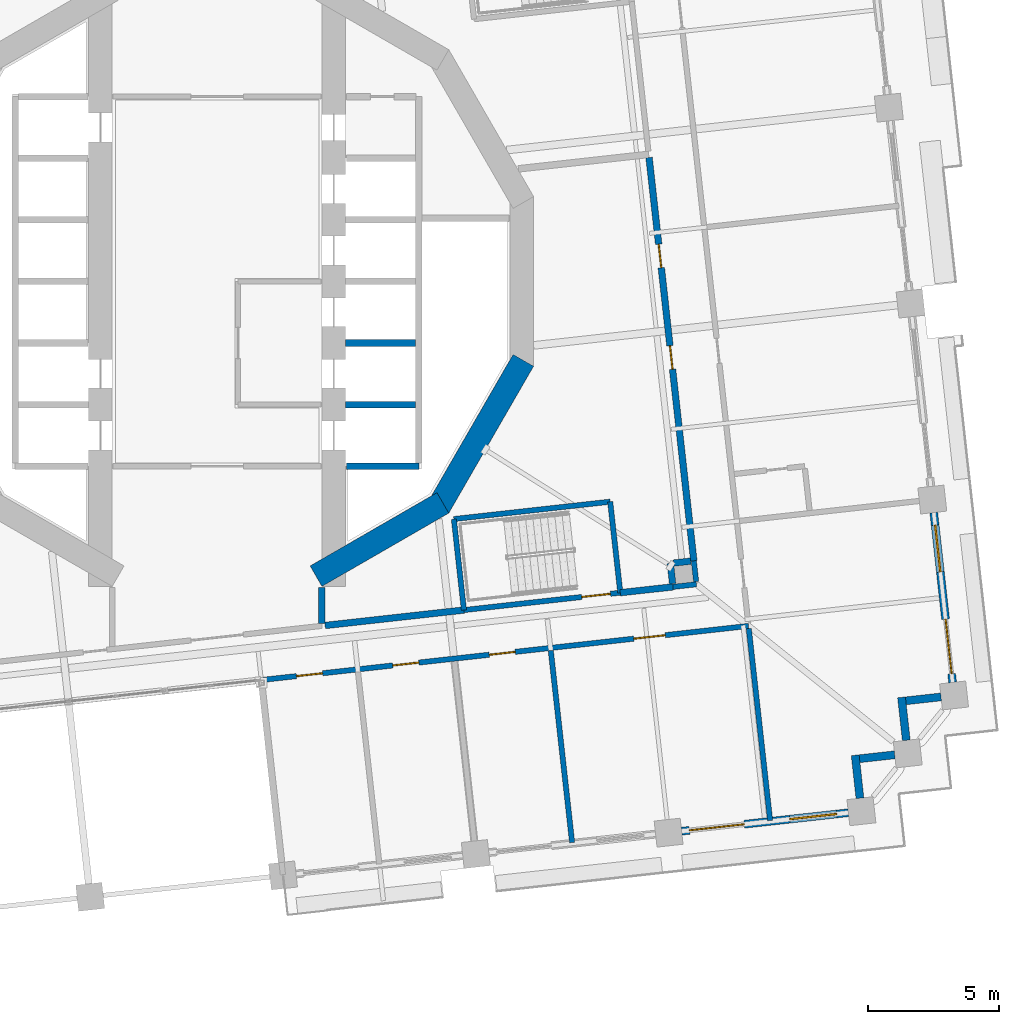
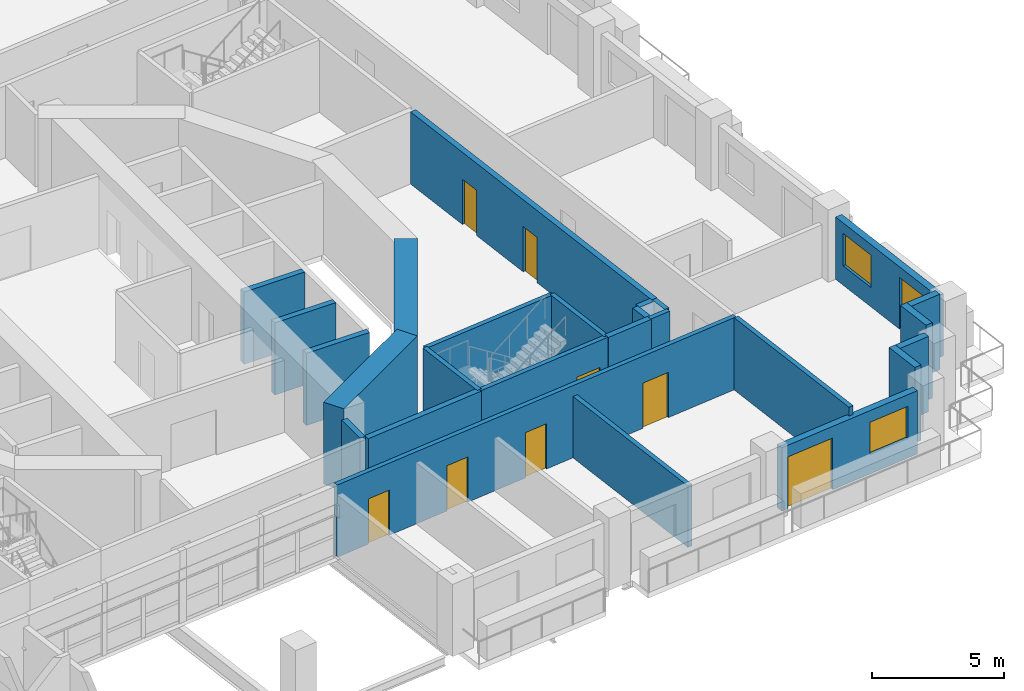
# One storey, part 9 of 21: 26 walls, 9 doors, 2 windows, 11 openings.
"""IFC4 building model written with IfcOpenShell, lengths in metres."""

from ifc_helpers import new_model, si_unit, direction, frame, frame_2d, origin, place, context, subcontext, project, spatial, rectangle, extrude, material, layer, layer_set, type_object, element, fill, save


model = new_model("IFC4")

# Units and contexts
model_context = context("Model", 3, precision=1e-05, world=origin(), true_north=direction((0.0, 1.0)))
body_context = subcontext(model_context, "Body", "Model", "MODEL_VIEW")
ifc_project = project(units=[si_unit("LENGTHUNIT", "METRE"), si_unit("AREAUNIT", "SQUARE_METRE"), si_unit("VOLUMEUNIT", "CUBIC_METRE"), si_unit("PLANEANGLEUNIT", "RADIAN"), si_unit("MASSUNIT", "GRAM", prefix="KILO")], contexts=[model_context])

# Site, building, storey
site_placement = place(None, origin())
site = spatial("IfcSite", under=ifc_project, at=site_placement, CompositionType="ELEMENT")
building_placement = place(site_placement, origin())
building = spatial("IfcBuilding", under=site, at=building_placement, Name="Cantera Rosa Tower", CompositionType="ELEMENT")
storey_placement = place(building_placement, frame((0.0, 0.0, 80.5)))
storey = spatial("IfcBuildingStorey", under=building, at=storey_placement, Name="L17", CompositionType="ELEMENT", Elevation=80.5)

# Wall, openings, doors
ifc_material_1 = material(Name="Gypsum board partition")
ifc_layer_1 = layer(ifc_material_1, 0.199951171875)
ifc_layer_set_1 = layer_set([ifc_layer_1], Name="CORRIDOR WALL 200 H3350")
wall_type_1 = type_object("IfcWallType", Name="CORRIDOR WALL 200 H3350", PredefinedType="PARTITIONING", material=ifc_layer_set_1)
wall_1_placement = place(storey_placement, frame((1.5634765625, -15.220458984375, 0.0), z_axis=(0.0, 0.0, 1.0), x_axis=(0.993896854699, 0.110313381866, 0.0)))
wall_1 = element("IfcWall", 1, at=wall_1_placement, inside=storey, type_object=wall_type_1, Name="CORRIDOR WALL L17-018", PredefinedType="PARTITIONING", context=body_context, shape_type="SweptSolid", body=[
    extrude(rectangle(XDim=18.8251953125, YDim=0.199951171875, at=frame_2d((9.41259765625, 0.0))), origin(), (0.0, 0.0, 1.0), 3.35009765625),
])
opening_1_placement = place(wall_1_placement, frame((1.47509765625, 0.0, 0.0)))
opening_1 = element("IfcOpeningElement", 2, at=opening_1_placement, cuts=wall_1, Name="Opening L17-037", PredefinedType="OPENING", context=body_context, shape_type="SweptSolid", body=[
    extrude(rectangle(XDim=1.0, YDim=2.10009765625, at=frame_2d((0.5, 1.050048828125))), frame((0.0, 0.10986328125, 0.0), z_axis=(0.0, -1.0, 0.0), x_axis=(1.0, 0.0, 0.0)), (0.0, 0.0, 1.0), 0.219970703125),
])
opening_2_placement = place(wall_1_placement, frame((5.175048828125, 0.0, 0.0)))
opening_2 = element("IfcOpeningElement", 3, at=opening_2_placement, cuts=wall_1, Name="Opening L17-038", PredefinedType="OPENING", context=body_context, shape_type="SweptSolid", body=[
    extrude(rectangle(XDim=1.0, YDim=2.10009765625, at=frame_2d((0.5, 1.050048828125))), frame((0.0, 0.10986328125, 0.0), z_axis=(0.0, -1.0, 0.0), x_axis=(1.0, 0.0, 0.0)), (0.0, 0.0, 1.0), 0.219970703125),
])
opening_3_placement = place(wall_1_placement, frame((8.875, 0.0, 0.0)))
opening_3 = element("IfcOpeningElement", 4, at=opening_3_placement, cuts=wall_1, Name="Opening L17-039", PredefinedType="OPENING", context=body_context, shape_type="SweptSolid", body=[
    extrude(rectangle(XDim=1.0, YDim=2.10009765625, at=frame_2d((0.5, 1.050048828125))), frame((0.0, 0.10986328125, 0.0), z_axis=(0.0, -1.0, 0.0), x_axis=(1.0, 0.0, 0.0)), (0.0, 0.0, 1.0), 0.219970703125),
])
opening_4_placement = place(wall_1_placement, frame((14.425048828125, 0.0, 0.0)))
opening_4 = element("IfcOpeningElement", 5, at=opening_4_placement, cuts=wall_1, Name="Opening L17-040", PredefinedType="OPENING", context=body_context, shape_type="SweptSolid", body=[
    extrude(rectangle(XDim=1.199951171875, YDim=2.10009765625, at=frame_2d((0.60009765625, 1.050048828125))), frame((0.0, 0.10986328125, 0.0), z_axis=(0.0, -1.0, 0.0), x_axis=(1.0, 0.0, 0.0)), (0.0, 0.0, 1.0), 0.219970703125),
])
ifc_material_2 = material(Name="Timber door leaf", Category="wood")
door_type_1 = type_object("IfcDoorType", Name="ROOM DOOR 1000x2100", OperationType="NOTDEFINED", PredefinedType="DOOR", material=ifc_material_2)
door_1_placement = place(opening_1_placement, origin())
door_1 = element("IfcDoor", 6, at=door_1_placement, inside=storey, type_object=door_type_1, Name="DOOR L17-037", OperationType="NOTDEFINED", OverallHeight=2.10009765625, OverallWidth=1.0, PredefinedType="DOOR", context=body_context, shape_type="SweptSolid", body=[
    extrude(rectangle(XDim=1.0, YDim=2.10009765625, at=frame_2d((0.5, 1.050048828125))), frame((0.0, 0.02490234375, 0.0), z_axis=(0.0, -1.0, 0.0), x_axis=(1.0, 0.0, 0.0)), (0.0, 0.0, 1.0), 0.050048828125),
])
fill(opening_1, door_1)
door_2_placement = place(opening_2_placement, origin())
door_2 = element("IfcDoor", 7, at=door_2_placement, inside=storey, type_object=door_type_1, Name="DOOR L17-038", OperationType="NOTDEFINED", OverallHeight=2.10009765625, OverallWidth=1.0, PredefinedType="DOOR", context=body_context, shape_type="SweptSolid", body=[
    extrude(rectangle(XDim=1.0, YDim=2.10009765625, at=frame_2d((0.5, 1.050048828125))), frame((0.0, 0.02490234375, 0.0), z_axis=(0.0, -1.0, 0.0), x_axis=(1.0, 0.0, 0.0)), (0.0, 0.0, 1.0), 0.050048828125),
])
fill(opening_2, door_2)
door_3_placement = place(opening_3_placement, origin())
door_3 = element("IfcDoor", 8, at=door_3_placement, inside=storey, type_object=door_type_1, Name="DOOR L17-039", OperationType="NOTDEFINED", OverallHeight=2.10009765625, OverallWidth=1.0, PredefinedType="DOOR", context=body_context, shape_type="SweptSolid", body=[
    extrude(rectangle(XDim=1.0, YDim=2.10009765625, at=frame_2d((0.5, 1.050048828125))), frame((0.0, 0.02490234375, 0.0), z_axis=(0.0, -1.0, 0.0), x_axis=(1.0, 0.0, 0.0)), (0.0, 0.0, 1.0), 0.050048828125),
])
fill(opening_3, door_3)
ifc_material_3 = material(Name="Timber door leaf", Category="wood")
door_type_2 = type_object("IfcDoorType", Name="ROOM DOOR 1200x2100", OperationType="NOTDEFINED", PredefinedType="DOOR", material=ifc_material_3)
door_4_placement = place(opening_4_placement, origin())
door_4 = element("IfcDoor", 9, at=door_4_placement, inside=storey, type_object=door_type_2, Name="DOOR L17-040", OperationType="NOTDEFINED", OverallHeight=2.10009765625, OverallWidth=1.199951171875, PredefinedType="DOOR", context=body_context, shape_type="SweptSolid", body=[
    extrude(rectangle(XDim=1.199951171875, YDim=2.10009765625, at=frame_2d((0.60009765625, 1.050048828125))), frame((0.0, 0.02490234375, 0.0), z_axis=(0.0, -1.0, 0.0), x_axis=(1.0, 0.0, 0.0)), (0.0, 0.0, 1.0), 0.050048828125),
])
fill(opening_4, door_4)

# Walls
wall_2_placement = place(storey_placement, frame((17.3916015625, -11.652587890625, 0.0), z_axis=(0.0, 0.0, 1.0), x_axis=(0.993887042245, 0.110401753874, 0.0)))
element("IfcWall", 10, at=wall_2_placement, inside=storey, type_object=wall_type_1, Name="CORRIDOR WALL L17-097", PredefinedType="PARTITIONING", context=body_context, shape_type="SweptSolid", body=[
    extrude(rectangle(XDim=0.900146484375, YDim=0.199951171875, at=frame_2d((0.4501953125, 0.0))), origin(), (0.0, 0.0, 1.0), 3.35009765625),
])
wall_3_placement = place(storey_placement, frame((18.27490234375, -11.453857421875, 0.0), z_axis=(0.0, 0.0, 1.0), x_axis=(-0.110163574714, 0.993913470482, 0.0)))
element("IfcWall", 11, at=wall_3_placement, inside=storey, type_object=wall_type_1, Name="CORRIDOR WALL L17-100", PredefinedType="PARTITIONING", context=body_context, shape_type="SweptSolid", body=[
    extrude(rectangle(XDim=0.800048828125, YDim=0.199951171875, at=frame_2d((0.39990234375, 0.0))), origin(), (0.0, 0.0, 1.0), 3.35009765625),
])
ifc_material_4 = material(Name="Hollow clay masonry with cantera stone cladding", Category="masonry")
ifc_layer_2 = layer(ifc_material_4, 0.300048828125)
ifc_layer_set_2 = layer_set([ifc_layer_2], Name="EW-LOGGIA 300")
wall_type_2 = type_object("IfcWallType", Name="EW-LOGGIA 300", PredefinedType="SOLIDWALL", material=ifc_layer_set_2)
wall_4_placement = place(storey_placement, frame((24.5244140625, -19.71484375, 0.0), z_axis=(0.0, 0.0, 1.0), x_axis=(-0.110236638423, 0.993905369514, 0.0)))
element("IfcWall", 12, at=wall_4_placement, inside=storey, type_object=wall_type_2, Name="EN-L17-W29a", PredefinedType="SOLIDWALL", context=body_context, shape_type="SweptSolid", body=[
    extrude(rectangle(XDim=1.64990234375, YDim=0.300048828125, at=frame_2d((0.824951171875, 0.0))), origin(), (0.0, 0.0, 1.0), 3.5),
])
wall_5_placement = place(storey_placement, frame((24.508056640625, -18.20751953125, 0.0), z_axis=(0.0, 0.0, 1.0), x_axis=(0.993896959738, 0.110312435488, 0.0)))
element("IfcWall", 13, at=wall_5_placement, inside=storey, type_object=wall_type_2, Name="EN-L17-W29b", PredefinedType="SOLIDWALL", context=body_context, shape_type="SweptSolid", body=[
    extrude(rectangle(XDim=1.35009765625, YDim=0.300048828125, at=frame_2d((0.675048828125, 0.0))), origin(), (0.0, 0.0, 1.0), 3.5),
])
wall_6_placement = place(storey_placement, frame((26.291748046875, -17.506591796875, 0.0), z_axis=(0.0, 0.0, 1.0), x_axis=(-0.110382805355, 0.993889146878, 0.0)))
element("IfcWall", 14, at=wall_6_placement, inside=storey, type_object=wall_type_2, Name="EN-L17-W30a", PredefinedType="SOLIDWALL", context=body_context, shape_type="SweptSolid", body=[
    extrude(rectangle(XDim=1.64990234375, YDim=0.300048828125, at=frame_2d((0.824951171875, 0.0))), origin(), (0.0, 0.0, 1.0), 3.5),
])
wall_7_placement = place(storey_placement, frame((26.275146484375, -15.999267578125, 0.0), z_axis=(0.0, 0.0, 1.0), x_axis=(0.993896959738, 0.110312435488, 0.0)))
element("IfcWall", 15, at=wall_7_placement, inside=storey, type_object=wall_type_2, Name="EN-L17-W30b", PredefinedType="SOLIDWALL", context=body_context, shape_type="SweptSolid", body=[
    extrude(rectangle(XDim=1.35009765625, YDim=0.300048828125, at=frame_2d((0.675048828125, 0.0))), origin(), (0.0, 0.0, 1.0), 3.5),
])

# Wall, openings, window, door
ifc_material_5 = material(Name="Hollow clay masonry with cantera stone cladding", Category="masonry")
ifc_layer_3 = layer(ifc_material_5, 0.300048828125)
ifc_layer_set_3 = layer_set([ifc_layer_3], Name="EW-LOGGIA 300 H2890")
wall_type_3 = type_object("IfcWallType", Name="EW-LOGGIA 300 H2890", PredefinedType="SOLIDWALL", material=ifc_layer_set_3)
wall_8_placement = place(storey_placement, frame((28.058837890625, -15.298095703125, 0.0), z_axis=(0.0, 0.0, 1.0), x_axis=(-0.110312341265, 0.993896970196, 0.0)))
wall_8 = element("IfcWall", 16, at=wall_8_placement, inside=storey, type_object=wall_type_3, Name="EN-L17-W01", PredefinedType="SOLIDWALL", context=body_context, shape_type="SweptSolid", body=[
    extrude(rectangle(XDim=6.52001953125, YDim=0.300048828125, at=frame_2d((3.260009765625, 0.0))), origin(), (0.0, 0.0, 1.0), 2.889892578125),
])
opening_5_placement = place(wall_8_placement, frame((0.330078125, 0.0, 0.0)))
opening_5 = element("IfcOpeningElement", 17, at=opening_5_placement, cuts=wall_8, Name="Opening L17-TD01", PredefinedType="OPENING", context=body_context, shape_type="SweptSolid", body=[
    extrude(rectangle(XDim=2.10009765625, YDim=2.39990234375, at=frame_2d((1.050048828125, 1.199951171875))), frame((0.0, 0.159912109375, 0.0), z_axis=(0.0, -1.0, 0.0), x_axis=(1.0, 0.0, 0.0)), (0.0, 0.0, 1.0), 0.320068359375),
])
opening_6_placement = place(wall_8_placement, frame((4.239990234375, 0.0, 0.89990234375)))
opening_6 = element("IfcOpeningElement", 18, at=opening_6_placement, cuts=wall_8, Name="Opening L17-W02", PredefinedType="OPENING", context=body_context, shape_type="SweptSolid", body=[
    extrude(rectangle(XDim=1.800048828125, YDim=1.5, at=frame_2d((0.89990234375, 0.75))), frame((0.0, 0.159912109375, 0.0), z_axis=(0.0, -1.0, 0.0), x_axis=(1.0, 0.0, 0.0)), (0.0, 0.0, 1.0), 0.320068359375),
])
ifc_material_6 = material(Name="Aluminium frame with clear glass", Category="aluminium")
window_type = type_object("IfcWindowType", Name="Hotel room window 1800x1500", PartitioningType="DOUBLE_PANEL_VERTICAL", PredefinedType="WINDOW", material=ifc_material_6)
window_1_placement = place(opening_6_placement, origin())
window_1 = element("IfcWindow", 19, at=window_1_placement, inside=storey, type_object=window_type, Name="WINDOW L17-W02", OverallHeight=1.5, OverallWidth=1.800048828125, PartitioningType="SINGLE_PANEL", PredefinedType="WINDOW", context=body_context, shape_type="SweptSolid", body=[
    extrude(rectangle(XDim=1.800048828125, YDim=1.5, at=frame_2d((0.89990234375, 0.75))), frame((0.0, 0.030029296875, 0.0), z_axis=(0.0, -1.0, 0.0), x_axis=(1.0, 0.0, 0.0)), (0.0, 0.0, 1.0), 0.06005859375),
])
fill(opening_6, window_1)
ifc_material_7 = material(Name="Aluminium frame with clear glass", Category="aluminium")
door_type_3 = type_object("IfcDoorType", Name="TD-H 2100x2400", OperationType="NOTDEFINED", PredefinedType="DOOR", material=ifc_material_7)
door_5_placement = place(opening_5_placement, origin())
door_5 = element("IfcDoor", 20, at=door_5_placement, inside=storey, type_object=door_type_3, Name="LOGGIA DOOR L17-TD01", OperationType="SLIDING_TO_LEFT", OverallHeight=2.39990234375, OverallWidth=2.10009765625, PredefinedType="DOOR", context=body_context, shape_type="SweptSolid", body=[
    extrude(rectangle(XDim=2.10009765625, YDim=2.39990234375, at=frame_2d((1.050048828125, 1.199951171875))), frame((0.0, 0.02490234375, 0.0), z_axis=(0.0, -1.0, 0.0), x_axis=(1.0, 0.0, 0.0)), (0.0, 0.0, 1.0), 0.050048828125),
])
fill(opening_5, door_5)

ifc_material_8 = material(Name="Hollow clay masonry with cantera stone cladding", Category="masonry")
ifc_layer_4 = layer(ifc_material_8, 0.300048828125)
ifc_layer_set_4 = layer_set([ifc_layer_4], Name="EW-LOGGIA 300 H2940")
wall_type_4 = type_object("IfcWallType", Name="EW-LOGGIA 300 H2940", PredefinedType="SOLIDWALL", material=ifc_layer_set_4)
wall_9_placement = place(storey_placement, frame((17.7216796875, -20.97314453125, 0.0), z_axis=(0.0, 0.0, 1.0), x_axis=(0.993896288542, 0.110318482689, 0.0)))
wall_9 = element("IfcWall", 21, at=wall_9_placement, inside=storey, type_object=wall_type_4, Name="EN-L17-W28", PredefinedType="SOLIDWALL", context=body_context, shape_type="SweptSolid", body=[
    extrude(rectangle(XDim=6.400146484375, YDim=0.300048828125, at=frame_2d((3.2001953125, 0.0))), origin(), (0.0, 0.0, 1.0), 2.93994140625),
])
opening_7_placement = place(wall_9_placement, frame((0.300048828125, 0.0, 0.0)))
opening_7 = element("IfcOpeningElement", 22, at=opening_7_placement, cuts=wall_9, Name="Opening L17-TD39", PredefinedType="OPENING", context=body_context, shape_type="SweptSolid", body=[
    extrude(rectangle(XDim=2.10009765625, YDim=2.39990234375, at=frame_2d((1.050048828125, 1.199951171875))), frame((0.0, 0.159912109375, 0.0), z_axis=(0.0, -1.0, 0.0), x_axis=(1.0, 0.0, 0.0)), (0.0, 0.0, 1.0), 0.320068359375),
])
opening_8_placement = place(wall_9_placement, frame((4.14990234375, 0.0, 0.89990234375)))
opening_8 = element("IfcOpeningElement", 23, at=opening_8_placement, cuts=wall_9, Name="Opening L17-W40", PredefinedType="OPENING", context=body_context, shape_type="SweptSolid", body=[
    extrude(rectangle(XDim=1.800048828125, YDim=1.5, at=frame_2d((0.89990234375, 0.75))), frame((0.0, 0.159912109375, 0.0), z_axis=(0.0, -1.0, 0.0), x_axis=(1.0, 0.0, 0.0)), (0.0, 0.0, 1.0), 0.320068359375),
])
window_2_placement = place(opening_8_placement, origin())
window_2 = element("IfcWindow", 24, at=window_2_placement, inside=storey, type_object=window_type, Name="WINDOW L17-W40", OverallHeight=1.5, OverallWidth=1.800048828125, PartitioningType="SINGLE_PANEL", PredefinedType="WINDOW", context=body_context, shape_type="SweptSolid", body=[
    extrude(rectangle(XDim=1.800048828125, YDim=1.5, at=frame_2d((0.89990234375, 0.75))), frame((0.0, 0.030029296875, 0.0), z_axis=(0.0, -1.0, 0.0), x_axis=(1.0, 0.0, 0.0)), (0.0, 0.0, 1.0), 0.06005859375),
])
fill(opening_8, window_2)
door_6_placement = place(opening_7_placement, origin())
door_6 = element("IfcDoor", 25, at=door_6_placement, inside=storey, type_object=door_type_3, Name="LOGGIA DOOR L17-TD39", OperationType="SLIDING_TO_LEFT", OverallHeight=2.39990234375, OverallWidth=2.10009765625, PredefinedType="DOOR", context=body_context, shape_type="SweptSolid", body=[
    extrude(rectangle(XDim=2.10009765625, YDim=2.39990234375, at=frame_2d((1.050048828125, 1.199951171875))), frame((0.0, 0.02490234375, 0.0), z_axis=(0.0, -1.0, 0.0), x_axis=(1.0, 0.0, 0.0)), (0.0, 0.0, 1.0), 0.050048828125),
])
fill(opening_7, door_6)

# Walls
ifc_material_9 = material(Name="Gypsum board partition")
ifc_layer_5 = layer(ifc_material_9, 0.199951171875)
ifc_layer_set_5 = layer_set([ifc_layer_5], Name="PARTITION 200 H2850")
wall_type_5 = type_object("IfcWallType", Name="PARTITION 200 H2850", PredefinedType="PARTITIONING", material=ifc_layer_set_5)
wall_10_placement = place(storey_placement, frame((12.731201171875, -14.08154296875, 0.0), z_axis=(0.0, 0.0, 1.0), x_axis=(0.11031154238, -0.993897058864, 0.0)))
element("IfcWall", 26, at=wall_10_placement, inside=storey, type_object=wall_type_5, Name="PARTITION L17-081", PredefinedType="PARTITIONING", context=body_context, shape_type="SweptSolid", body=[
    extrude(rectangle(XDim=7.369873046875, YDim=0.199951171875, at=frame_2d((3.68505859375, 0.0))), origin(), (0.0, 0.0, 1.0), 2.85009765625),
])
ifc_material_10 = material(Name="Gypsum board partition")
ifc_layer_6 = layer(ifc_material_10, 0.199951171875)
ifc_layer_set_6 = layer_set([ifc_layer_6], Name="PARTITION 200 H3350")
wall_type_6 = type_object("IfcWallType", Name="PARTITION 200 H3350", PredefinedType="PARTITIONING", material=ifc_layer_set_6)
wall_11_placement = place(storey_placement, frame((21.09765625, -20.568115234375, 0.0), z_axis=(0.0, 0.0, 1.0), x_axis=(-0.11031154238, 0.993897058864, 0.0)))
element("IfcWall", 27, at=wall_11_placement, inside=storey, type_object=wall_type_6, Name="PARTITION L17-104", PredefinedType="PARTITIONING", context=body_context, shape_type="SweptSolid", body=[
    extrude(rectangle(XDim=7.369873046875, YDim=0.199951171875, at=frame_2d((3.68505859375, 0.0))), origin(), (0.0, 0.0, 1.0), 3.35009765625),
])
ifc_material_11 = material(Name="Concrete C70/85", Category="concrete")
ifc_layer_7 = layer(ifc_material_11, 0.89990234375)
ifc_layer_set_7 = layer_set([ifc_layer_7], Name="RC CORE WALL 900 C70/85")
wall_type_7 = type_object("IfcWallType", Name="RC CORE WALL 900 C70/85", PredefinedType="SHEAR", material=ifc_layer_set_7)
wall_12_placement = place(storey_placement, frame((11.684326171875, -3.01025390625, 0.0), z_axis=(0.0, 0.0, 1.0), x_axis=(-0.499990282633, -0.866031014036, 0.0)))
element("IfcWall", 28, at=wall_12_placement, inside=storey, type_object=wall_type_7, Name="CW-E4 L17", PredefinedType="SHEAR", context=body_context, shape_type="SweptSolid", body=[
    extrude(rectangle(XDim=6.470458984375, YDim=0.89990234375, at=frame_2d((3.2353515625, 0.0))), origin(), (0.0, 0.0, 1.0), 3.800048828125),
])
wall_13_placement = place(storey_placement, frame((8.61376953125, -8.44921875, 0.0), z_axis=(0.0, 0.0, 1.0), x_axis=(-0.866026961591, -0.49999730179, 0.0)))
element("IfcWall", 29, at=wall_13_placement, inside=storey, type_object=wall_type_7, Name="CW-E5 L17", PredefinedType="SHEAR", context=body_context, shape_type="SweptSolid", body=[
    extrude(rectangle(XDim=5.58740234375, YDim=0.89990234375, at=frame_2d((2.793701171875, 0.0))), origin(), (0.0, 0.0, 1.0), 3.800048828125),
])
ifc_material_12 = material(Name="Masonry blockwork", Category="masonry")
ifc_layer_8 = layer(ifc_material_12, 0.25)
ifc_layer_set_8 = layer_set([ifc_layer_8], Name="SHAFT WALL 250 H3350")
wall_type_8 = type_object("IfcWallType", Name="SHAFT WALL 250 H3350", PredefinedType="SOLIDWALL", material=ifc_layer_set_8)
wall_14_placement = place(storey_placement, frame((4.0, -13.058837890625, 0.0), z_axis=(0.0, 0.0, 1.0), x_axis=(0.0, 1.0, 0.0)))
element("IfcWall", 30, at=wall_14_placement, inside=storey, type_object=wall_type_8, Name="SHAFT WALL L17-061", PredefinedType="SOLIDWALL", context=body_context, shape_type="SweptSolid", body=[
    extrude(rectangle(XDim=1.3916015625, YDim=0.25, at=frame_2d((0.69580078125, 0.0))), origin(), (0.0, 0.0, 1.0), 3.35009765625),
])
wall_15_placement = place(storey_placement, frame((4.119384765625, -13.125732421875, 0.0), z_axis=(0.0, 0.0, 1.0), x_axis=(0.993897686816, 0.110305884435, 0.0)))
element("IfcWall", 31, at=wall_15_placement, inside=storey, type_object=wall_type_8, Name="SHAFT WALL L17-062", PredefinedType="SOLIDWALL", context=body_context, shape_type="SweptSolid", body=[
    extrude(rectangle(XDim=5.331787109375, YDim=0.25, at=frame_2d((2.666015625, 0.0))), origin(), (0.0, 0.0, 1.0), 3.35009765625),
])
wall_16_placement = place(storey_placement, frame((4.89990234375, -4.699951171875, 0.0), z_axis=(0.0, 0.0, 1.0), x_axis=(1.0, 0.0, 0.0)))
element("IfcWall", 32, at=wall_16_placement, inside=storey, type_object=wall_type_8, Name="SHAFT WALL L17-064", PredefinedType="SOLIDWALL", context=body_context, shape_type="SweptSolid", body=[
    extrude(rectangle(XDim=2.675048828125, YDim=0.25, at=frame_2d((1.33740234375, 0.0))), origin(), (0.0, 0.0, 1.0), 3.35009765625),
])
wall_17_placement = place(storey_placement, frame((4.929931640625, -7.050048828125, 0.0), z_axis=(0.0, 0.0, 1.0), x_axis=(1.0, 0.0, 0.0)))
element("IfcWall", 33, at=wall_17_placement, inside=storey, type_object=wall_type_8, Name="SHAFT WALL L17-066", PredefinedType="SOLIDWALL", context=body_context, shape_type="SweptSolid", body=[
    extrude(rectangle(XDim=2.77001953125, YDim=0.25, at=frame_2d((1.385009765625, 0.0))), origin(), (0.0, 0.0, 1.0), 3.35009765625),
])
wall_18_placement = place(storey_placement, frame((7.574951171875, -2.35009765625, 0.0), z_axis=(0.0, 0.0, 1.0), x_axis=(-1.0, 0.0, 0.0)))
element("IfcWall", 34, at=wall_18_placement, inside=storey, type_object=wall_type_8, Name="SHAFT WALL L17-069", PredefinedType="SOLIDWALL", context=body_context, shape_type="SweptSolid", body=[
    extrude(rectangle(XDim=2.675048828125, YDim=0.25, at=frame_2d((1.33740234375, 0.0))), origin(), (0.0, 0.0, 1.0), 3.35009765625),
])
wall_19_placement = place(storey_placement, frame((15.382080078125, -11.87548828125, 0.0), z_axis=(0.0, 0.0, 1.0), x_axis=(0.993904333438, 0.110245979398, 0.0)))
element("IfcWall", 35, at=wall_19_placement, inside=storey, type_object=wall_type_8, Name="SHAFT WALL L17-088", PredefinedType="SOLIDWALL", context=body_context, shape_type="SweptSolid", body=[
    extrude(rectangle(XDim=2.021728515625, YDim=0.25, at=frame_2d((1.0107421875, 0.0))), origin(), (0.0, 0.0, 1.0), 3.35009765625),
])
wall_20_placement = place(storey_placement, frame((17.292236328125, -10.758056640625, 0.0), z_axis=(0.0, 0.0, 1.0), x_axis=(0.110500240118, -0.993876097375, 0.0)))
element("IfcWall", 36, at=wall_20_placement, inside=storey, type_object=wall_type_8, Name="SHAFT WALL L17-096", PredefinedType="SOLIDWALL", context=body_context, shape_type="SweptSolid", body=[
    extrude(rectangle(XDim=0.780029296875, YDim=0.25, at=frame_2d((0.39013671875, 0.0))), origin(), (0.0, 0.0, 1.0), 3.35009765625),
])

# Wall, openings, doors
wall_21_placement = place(storey_placement, frame((18.186767578125, -10.65869140625, 0.0), z_axis=(0.0, 0.0, 1.0), x_axis=(-0.11030516166, 0.993897767032, 0.0)))
wall_21 = element("IfcWall", 37, at=wall_21_placement, inside=storey, type_object=wall_type_8, Name="SHAFT WALL L17-098", PredefinedType="SOLIDWALL", context=body_context, shape_type="SweptSolid", body=[
    extrude(rectangle(XDim=15.47998046875, YDim=0.25, at=frame_2d((7.739990234375, 0.0))), origin(), (0.0, 0.0, 1.0), 3.35009765625),
])
opening_9_placement = place(wall_21_placement, frame((11.25, 0.0, 0.0)))
opening_9 = element("IfcOpeningElement", 38, at=opening_9_placement, cuts=wall_21, Name="Opening L17-009", PredefinedType="OPENING", context=body_context, shape_type="SweptSolid", body=[
    extrude(rectangle(XDim=0.89990234375, YDim=2.10009765625, at=frame_2d((0.449951171875, 1.050048828125))), frame((0.0, 0.135009765625, 0.0), z_axis=(0.0, -1.0, 0.0), x_axis=(1.0, 0.0, 0.0)), (0.0, 0.0, 1.0), 0.27001953125),
])
opening_10_placement = place(wall_21_placement, frame((7.35009765625, 0.0, 0.0)))
opening_10 = element("IfcOpeningElement", 39, at=opening_10_placement, cuts=wall_21, Name="Opening L17-043", PredefinedType="OPENING", context=body_context, shape_type="SweptSolid", body=[
    extrude(rectangle(XDim=0.89990234375, YDim=2.10009765625, at=frame_2d((0.449951171875, 1.050048828125))), frame((0.0, 0.135009765625, 0.0), z_axis=(0.0, -1.0, 0.0), x_axis=(1.0, 0.0, 0.0)), (0.0, 0.0, 1.0), 0.27001953125),
])
ifc_material_13 = material(Name="Timber door leaf", Category="wood")
door_type_4 = type_object("IfcDoorType", Name="SERVICE DOOR 900x2100", OperationType="NOTDEFINED", PredefinedType="DOOR", material=ifc_material_13)
door_7_placement = place(opening_9_placement, origin())
door_7 = element("IfcDoor", 40, at=door_7_placement, inside=storey, type_object=door_type_4, Name="RISER DOOR L17-009", OperationType="NOTDEFINED", OverallHeight=2.10009765625, OverallWidth=0.89990234375, PredefinedType="DOOR", context=body_context, shape_type="SweptSolid", body=[
    extrude(rectangle(XDim=0.89990234375, YDim=2.10009765625, at=frame_2d((0.449951171875, 1.050048828125))), frame((0.0, 0.02490234375, 0.0), z_axis=(0.0, -1.0, 0.0), x_axis=(1.0, 0.0, 0.0)), (0.0, 0.0, 1.0), 0.050048828125),
])
fill(opening_9, door_7)
door_8_placement = place(opening_10_placement, origin())
door_8 = element("IfcDoor", 41, at=door_8_placement, inside=storey, type_object=door_type_4, Name="RISER DOOR L17-043", OperationType="NOTDEFINED", OverallHeight=2.10009765625, OverallWidth=0.89990234375, PredefinedType="DOOR", context=body_context, shape_type="SweptSolid", body=[
    extrude(rectangle(XDim=0.89990234375, YDim=2.10009765625, at=frame_2d((0.449951171875, 1.050048828125))), frame((0.0, 0.02490234375, 0.0), z_axis=(0.0, -1.0, 0.0), x_axis=(1.0, 0.0, 0.0)), (0.0, 0.0, 1.0), 0.050048828125),
])
fill(opening_10, door_8)

# Walls
wall_22_placement = place(storey_placement, frame((18.0673828125, -10.672119140625, 0.0), z_axis=(0.0, 0.0, 1.0), x_axis=(-0.993901771663, -0.11026907221, 0.0)))
element("IfcWall", 42, at=wall_22_placement, inside=storey, type_object=wall_type_8, Name="SHAFT WALL L17-099", PredefinedType="SOLIDWALL", context=body_context, shape_type="SweptSolid", body=[
    extrude(rectangle(XDim=0.65966796875, YDim=0.25, at=frame_2d((0.329833984375, 0.0))), origin(), (0.0, 0.0, 1.0), 3.35009765625),
])
ifc_material_14 = material(Name="Concrete C50/60", Category="concrete")
ifc_layer_9 = layer(ifc_material_14, 0.199951171875)
ifc_layer_set_9 = layer_set([ifc_layer_9], Name="STAIR WALL 200 H3350")
wall_type_9 = type_object("IfcWallType", Name="STAIR WALL 200 H3350", PredefinedType="SOLIDWALL", material=ifc_layer_set_9)
wall_23_placement = place(storey_placement, frame((9.033447265625, -9.066162109375, 0.0), z_axis=(0.0, 0.0, 1.0), x_axis=(0.11030110325, -0.993898217436, 0.0)))
element("IfcWall", 43, at=wall_23_placement, inside=storey, type_object=wall_type_9, Name="STAIR WALL L17-074", PredefinedType="SOLIDWALL", context=body_context, shape_type="SweptSolid", body=[
    extrude(rectangle(XDim=3.49267578125, YDim=0.199951171875, at=frame_2d((1.746337890625, 0.0))), origin(), (0.0, 0.0, 1.0), 3.35009765625),
])

# Wall, opening, door
wall_24_placement = place(storey_placement, frame((9.418701171875, -12.53759765625, 0.0), z_axis=(0.0, 0.0, 1.0), x_axis=(0.993892663362, 0.110351138256, 0.0)))
wall_24 = element("IfcWall", 44, at=wall_24_placement, inside=storey, type_object=wall_type_9, Name="STAIR WALL L17-076", PredefinedType="SOLIDWALL", context=body_context, shape_type="SweptSolid", body=[
    extrude(rectangle(XDim=6.0, YDim=0.199951171875, at=frame_2d((3.0, 0.0))), origin(), (0.0, 0.0, 1.0), 3.35009765625),
])
opening_11_placement = place(wall_24_placement, frame((4.52490234375, 0.0, 0.0)))
opening_11 = element("IfcOpeningElement", 45, at=opening_11_placement, cuts=wall_24, Name="Opening L17-004", PredefinedType="OPENING", context=body_context, shape_type="SweptSolid", body=[
    extrude(rectangle(XDim=1.10009765625, YDim=2.10009765625, at=frame_2d((0.550048828125, 1.050048828125))), frame((0.0, 0.10986328125, 0.0), z_axis=(0.0, -1.0, 0.0), x_axis=(1.0, 0.0, 0.0)), (0.0, 0.0, 1.0), 0.219970703125),
])
ifc_material_15 = material(Name="Steel S355J2 (EN 10025-2)", Category="steel")
door_type_5 = type_object("IfcDoorType", Name="STAIR DOOR 1100x2100", OperationType="NOTDEFINED", PredefinedType="DOOR", material=ifc_material_15)
door_9_placement = place(opening_11_placement, origin())
door_9 = element("IfcDoor", 46, at=door_9_placement, inside=storey, type_object=door_type_5, Name="DOOR L17-004", OperationType="NOTDEFINED", OverallHeight=2.10009765625, OverallWidth=1.10009765625, PredefinedType="DOOR", context=body_context, shape_type="SweptSolid", body=[
    extrude(rectangle(XDim=1.10009765625, YDim=2.10009765625, at=frame_2d((0.550048828125, 1.050048828125))), frame((0.0, 0.02490234375, 0.0), z_axis=(0.0, -1.0, 0.0), x_axis=(1.0, 0.0, 0.0)), (0.0, 0.0, 1.0), 0.050048828125),
])
fill(opening_11, door_9)

# Walls
wall_25_placement = place(storey_placement, frame((14.996826171875, -8.404296875, 0.0), z_axis=(0.0, 0.0, 1.0), x_axis=(-0.993897125329, -0.110310943534, 0.0)))
element("IfcWall", 47, at=wall_25_placement, inside=storey, type_object=wall_type_9, Name="STAIR WALL L17-085", PredefinedType="SOLIDWALL", context=body_context, shape_type="SweptSolid", body=[
    extrude(rectangle(XDim=6.0, YDim=0.199951171875, at=frame_2d((3.0, 0.0))), origin(), (0.0, 0.0, 1.0), 3.35009765625),
])
wall_26_placement = place(storey_placement, frame((15.382080078125, -11.87548828125, 0.0), z_axis=(0.0, 0.0, 1.0), x_axis=(-0.110308766705, 0.993897366929, 0.0)))
element("IfcWall", 48, at=wall_26_placement, inside=storey, type_object=wall_type_9, Name="STAIR WALL L17-087", PredefinedType="SOLIDWALL", context=body_context, shape_type="SweptSolid", body=[
    extrude(rectangle(XDim=3.492431640625, YDim=0.199951171875, at=frame_2d((1.74609375, 0.0))), origin(), (0.0, 0.0, 1.0), 3.35009765625),
])

save(model, "model.ifc")
